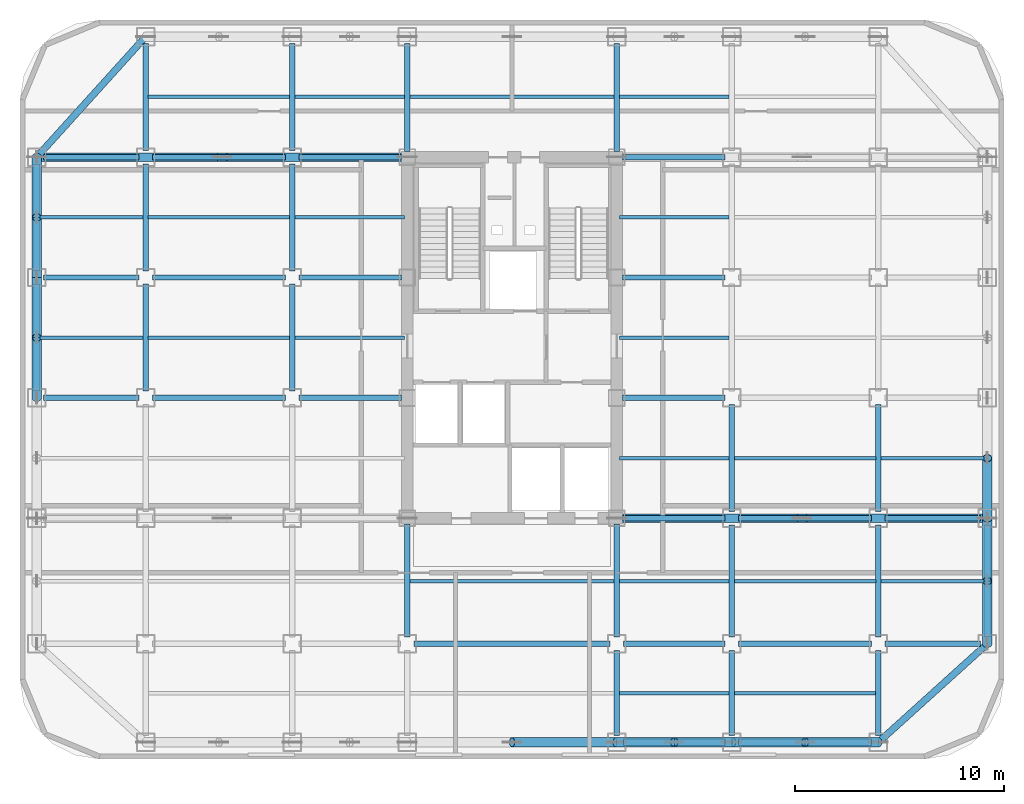
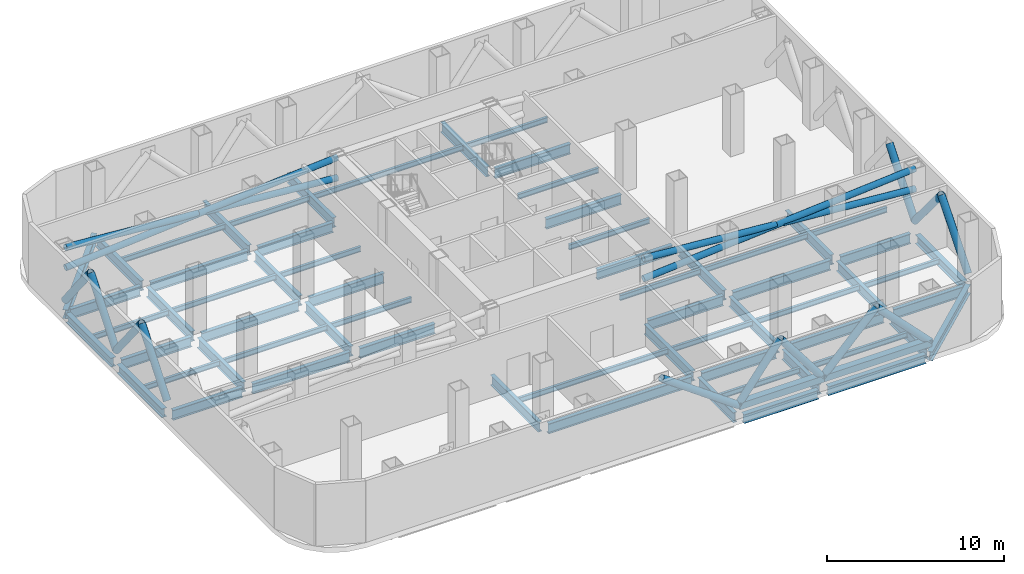
# One storey, part 2 of 9: 64 beams, 20 members.
"""IFC4 building model written with IfcOpenShell, lengths in metres."""

from ifc_helpers import new_model, si_unit, direction, frame, origin, origin_2d, place, context, subcontext, project, spatial, hollow_rectangle, hollow_circle, i_section, extrude, source, transform, mapped, material, material_profile, profile_set, type_object, element, save


model = new_model("IFC4")

# Units and contexts
model_context = context("Model", 3, precision=1e-05, world=origin(), true_north=direction((0.0, 1.0)))
body_context = subcontext(model_context, "Body", "Model", "MODEL_VIEW")
ifc_project = project(units=[si_unit("LENGTHUNIT", "METRE"), si_unit("AREAUNIT", "SQUARE_METRE"), si_unit("VOLUMEUNIT", "CUBIC_METRE"), si_unit("PLANEANGLEUNIT", "RADIAN"), si_unit("MASSUNIT", "GRAM", prefix="KILO")], contexts=[model_context])

# Site, building, storey
site_placement = place(None, origin())
site = spatial("IfcSite", under=ifc_project, at=site_placement, CompositionType="ELEMENT")
building_placement = place(site_placement, origin())
building = spatial("IfcBuilding", under=site, at=building_placement, Name="Kolveth Station Tower", CompositionType="ELEMENT")
storey_placement = place(building_placement, frame((0.0, 0.0, 143.89990234375)))
storey = spatial("IfcBuildingStorey", under=building, at=storey_placement, Name="L40", CompositionType="ELEMENT", Elevation=143.89990234375)

# Beams
ifc_material_1 = material(Name="Steel S355", Category="steel")
ifc_material_profile_1 = material_profile(ifc_material_1, i_section(OverallWidth=0.323974609375, OverallDepth=0.611083984375, WebThickness=0.0126953125, FlangeThickness=0.01904296875, at=origin_2d()), Name="W610x155")
ifc_profile_set_1 = profile_set([ifc_material_profile_1], Name="Steel S355")
beam_type_1 = type_object("IfcBeamType", Name="Beam_SP2", PredefinedType="SPANDREL", material=ifc_profile_set_1)
shared_shape_1 = source(origin(), body_context, "Body", "SweptSolid", [
    extrude(i_section(OverallWidth=0.323974609375, OverallDepth=0.611083984375, WebThickness=0.0126953125, FlangeThickness=0.01904296875, at=origin_2d()), origin(), (0.0, 0.0, 1.0), 6.35986328125),
])
beam_1_placement = place(storey_placement, frame((34.320068359375, 0.800048828125, -0.665283203125), z_axis=(1.0, 0.0, 0.0), x_axis=(0.0, 1.0, 0.0)))
element("IfcBeam", 1, at=beam_1_placement, inside=storey, type_object=beam_type_1, Name="L40 Perimeter Spandrel BM-L40-PS-5", PredefinedType="SPANDREL", context=body_context, shape_type="MappedRepresentation", body=[
    mapped(shared_shape_1, transform((0.0, 0.0, 0.0), x_axis=(1.0, 0.0, 0.0), y_axis=(0.0, 1.0, 0.0), z_axis=(0.0, 0.0, 1.0), scale=1.0)),
])
shared_shape_2 = source(origin(), body_context, "Body", "SweptSolid", [
    extrude(i_section(OverallWidth=0.323974609375, OverallDepth=0.611083984375, WebThickness=0.0126953125, FlangeThickness=0.01904296875, at=origin_2d()), origin(), (0.0, 0.0, 1.0), 4.85986328125),
])
beam_2_placement = place(storey_placement, frame((28.820068359375, 0.800048828125, -0.665283203125), z_axis=(1.0, 0.0, 0.0), x_axis=(0.0, 1.0, 0.0)))
element("IfcBeam", 2, at=beam_2_placement, inside=storey, type_object=beam_type_1, Name="L40 Perimeter Spandrel BM-L40-PS-4", PredefinedType="SPANDREL", context=body_context, shape_type="MappedRepresentation", body=[
    mapped(shared_shape_2, transform((0.0, 0.0, 0.0), x_axis=(1.0, 0.0, 0.0), y_axis=(0.0, 1.0, 0.0), z_axis=(0.0, 0.0, 1.0), scale=1.0)),
])
shared_shape_3 = source(origin(), body_context, "Body", "SweptSolid", [
    extrude(i_section(OverallWidth=0.323974609375, OverallDepth=0.611083984375, WebThickness=0.0126953125, FlangeThickness=0.01904296875, at=origin_2d()), origin(), (0.0, 0.0, 1.0), 5.35986328125),
])
beam_3_placement = place(storey_placement, frame((46.199951171875, 5.820068359375, -0.665283203125), z_axis=(0.0, 1.0, 0.0), x_axis=(-1.0, 0.0, 0.0)))
element("IfcBeam", 3, at=beam_3_placement, inside=storey, type_object=beam_type_1, Name="L40 Perimeter Spandrel BM-L40-PE-1", PredefinedType="SPANDREL", context=body_context, shape_type="MappedRepresentation", body=[
    mapped(shared_shape_3, transform((0.0, 0.0, 0.0), x_axis=(1.0, 0.0, 0.0), y_axis=(0.0, 1.0, 0.0), z_axis=(0.0, 0.0, 1.0), scale=1.0)),
])
shared_shape_4 = source(origin(), body_context, "Body", "SweptSolid", [
    extrude(i_section(OverallWidth=0.323974609375, OverallDepth=0.611083984375, WebThickness=0.0126953125, FlangeThickness=0.01904296875, at=origin_2d()), origin(), (0.0, 0.0, 1.0), 5.10986328125),
])
for number, where, z_axis, x_axis, name in (
    (4, (0.800048828125, 17.570068359375, -0.665283203125), (0.0, 1.0, 0.0), (-1.0, 0.0, 0.0), "L40 Perimeter Spandrel BM-L40-PW-3"),
    (5, (0.800048828125, 23.320068359375, -0.665283203125), (0.0, 1.0, 0.0), (-1.0, 0.0, 0.0), "L40 Perimeter Spandrel BM-L40-PW-4"),
):
    element("IfcBeam", number, at=place(storey_placement, frame(where, z_axis=z_axis, x_axis=x_axis)), inside=storey, type_object=beam_type_1, Name=name, PredefinedType="SPANDREL", context=body_context, shape_type="MappedRepresentation", body=[
        mapped(shared_shape_4, transform((0.0, 0.0, 0.0), x_axis=(1.0, 0.0, 0.0), y_axis=(0.0, 1.0, 0.0), z_axis=(0.0, 0.0, 1.0), scale=1.0)),
    ])
shared_shape_5 = source(origin(), body_context, "Body", "SweptSolid", [
    extrude(i_section(OverallWidth=0.323974609375, OverallDepth=0.611083984375, WebThickness=0.0126953125, FlangeThickness=0.01904296875, at=origin_2d()), origin(), (0.0, 0.0, 1.0), 7.00927734375),
])
beam_4_placement = place(storey_placement, frame((41.0, 0.800048828125, -0.665283203125), z_axis=(0.741874009795, 0.670539300557, 0.0), x_axis=(-0.670539300557, 0.741874009795, 0.0)))
element("IfcBeam", 6, at=beam_4_placement, inside=storey, type_object=beam_type_1, Name="L40 Corner Edge Girder BM-L40-CNR-SE", PredefinedType="SPANDREL", context=body_context, shape_type="MappedRepresentation", body=[
    mapped(shared_shape_5, transform((0.0, 0.0, 0.0), x_axis=(1.0, 0.0, 0.0), y_axis=(0.0, 1.0, 0.0), z_axis=(0.0, 0.0, 1.0), scale=1.0)),
])
shared_shape_6 = source(origin(), body_context, "Body", "SweptSolid", [
    extrude(i_section(OverallWidth=0.323974609375, OverallDepth=0.611083984375, WebThickness=0.0126953125, FlangeThickness=0.01904296875, at=origin_2d()), origin(), (0.0, 0.0, 1.0), 7.75244140625),
])
beam_5_placement = place(storey_placement, frame((6.0, 34.5, -0.665283203125), z_axis=(-0.670740965555, -0.74169168603, 0.0), x_axis=(0.74169168603, -0.670740965555, 0.0)))
element("IfcBeam", 7, at=beam_5_placement, inside=storey, type_object=beam_type_1, Name="L40 Corner Edge Girder BM-L40-CNR-NW", PredefinedType="SPANDREL", context=body_context, shape_type="MappedRepresentation", body=[
    mapped(shared_shape_6, transform((0.0, 0.0, 0.0), x_axis=(1.0, 0.0, 0.0), y_axis=(0.0, 1.0, 0.0), z_axis=(0.0, 0.0, 1.0), scale=1.0)),
])
ifc_material_profile_2 = material_profile(ifc_material_1, i_section(OverallWidth=0.25390625, OverallDepth=0.68798828125, WebThickness=0.01318359375, FlangeThickness=0.02099609375, at=origin_2d()), Name="W690x152")
ifc_profile_set_2 = profile_set([ifc_material_profile_2], Name="Steel S355")
beam_type_2 = type_object("IfcBeamType", Name="Beam_B4", PredefinedType="BEAM", material=ifc_profile_set_2)
shared_shape_7 = source(origin(), body_context, "Body", "SweptSolid", [
    extrude(i_section(OverallWidth=0.25390625, OverallDepth=0.68798828125, WebThickness=0.01318359375, FlangeThickness=0.02099609375, at=origin_2d()), origin(), (0.0, 0.0, 1.0), 4.559814453125),
])
for number, where, z_axis, x_axis, name in (
    (8, (41.320068359375, 5.5, -0.703857421875), (1.0, 0.0, 0.0), (0.0, 1.0, 0.0), "L40 Primary Girder BM-L40-GY55-7"),
    (9, (41.320068359375, 11.5, -0.703857421875), (1.0, 0.0, 0.0), (0.0, 1.0, 0.0), "L40 Primary Girder BM-L40-GY115-7"),
    (10, (1.1201171875, 17.25, -0.703857421875), (1.0, 0.0, 0.0), (0.0, 1.0, 0.0), "L40 Primary Girder BM-L40-GY172-1"),
    (11, (1.1201171875, 23.0, -0.703857421875), (1.0, 0.0, 0.0), (0.0, 1.0, 0.0), "L40 Primary Girder BM-L40-GY230-1"),
    (12, (1.1201171875, 28.75, -0.703857421875), (1.0, 0.0, 0.0), (0.0, 1.0, 0.0), "L40 Primary Girder BM-L40-GY287-1"),
):
    element("IfcBeam", number, at=place(storey_placement, frame(where, z_axis=z_axis, x_axis=x_axis)), inside=storey, type_object=beam_type_2, Name=name, PredefinedType="BEAM", context=body_context, shape_type="MappedRepresentation", body=[
        mapped(shared_shape_7, transform((0.0, 0.0, 0.0), x_axis=(1.0, 0.0, 0.0), y_axis=(0.0, 1.0, 0.0), z_axis=(0.0, 0.0, 1.0), scale=1.0)),
    ])
shared_shape_8 = source(origin(), body_context, "Body", "SweptSolid", [
    extrude(i_section(OverallWidth=0.25390625, OverallDepth=0.68798828125, WebThickness=0.01318359375, FlangeThickness=0.02099609375, at=origin_2d()), origin(), (0.0, 0.0, 1.0), 6.35986328125),
])
for number, where, z_axis, x_axis, name in (
    (13, (34.320068359375, 5.5, -0.703857421875), (1.0, 0.0, 0.0), (0.0, 1.0, 0.0), "L40 Primary Girder BM-L40-GY55-6"),
    (14, (34.320068359375, 11.5, -0.703857421875), (1.0, 0.0, 0.0), (0.0, 1.0, 0.0), "L40 Primary Girder BM-L40-GY115-6"),
    (15, (6.320068359375, 17.25, -0.703857421875), (1.0, 0.0, 0.0), (0.0, 1.0, 0.0), "L40 Primary Girder BM-L40-GY172-2"),
    (16, (6.320068359375, 23.0, -0.703857421875), (1.0, 0.0, 0.0), (0.0, 1.0, 0.0), "L40 Primary Girder BM-L40-GY230-2"),
    (17, (6.320068359375, 28.75, -0.703857421875), (1.0, 0.0, 0.0), (0.0, 1.0, 0.0), "L40 Primary Girder BM-L40-GY287-2"),
):
    element("IfcBeam", number, at=place(storey_placement, frame(where, z_axis=z_axis, x_axis=x_axis)), inside=storey, type_object=beam_type_2, Name=name, PredefinedType="BEAM", context=body_context, shape_type="MappedRepresentation", body=[
        mapped(shared_shape_8, transform((0.0, 0.0, 0.0), x_axis=(1.0, 0.0, 0.0), y_axis=(0.0, 1.0, 0.0), z_axis=(0.0, 0.0, 1.0), scale=1.0)),
    ])
shared_shape_9 = source(origin(), body_context, "Body", "SweptSolid", [
    extrude(i_section(OverallWidth=0.25390625, OverallDepth=0.68798828125, WebThickness=0.01318359375, FlangeThickness=0.02099609375, at=origin_2d()), origin(), (0.0, 0.0, 1.0), 4.85986328125),
])
beam_6_placement = place(storey_placement, frame((28.820068359375, 5.5, -0.703857421875), z_axis=(1.0, 0.0, 0.0), x_axis=(0.0, 1.0, 0.0)))
element("IfcBeam", 18, at=beam_6_placement, inside=storey, type_object=beam_type_2, Name="L40 Primary Girder BM-L40-GY55-5", PredefinedType="BEAM", context=body_context, shape_type="MappedRepresentation", body=[
    mapped(shared_shape_9, transform((0.0, 0.0, 0.0), x_axis=(1.0, 0.0, 0.0), y_axis=(0.0, 1.0, 0.0), z_axis=(0.0, 0.0, 1.0), scale=1.0)),
])
shared_shape_10 = source(origin(), body_context, "Body", "SweptSolid", [
    extrude(i_section(OverallWidth=0.25390625, OverallDepth=0.68798828125, WebThickness=0.01318359375, FlangeThickness=0.02099609375, at=origin_2d()), origin(), (0.0, 0.0, 1.0), 9.35986328125),
])
beam_7_placement = place(storey_placement, frame((18.820068359375, 5.5, -0.703857421875), z_axis=(1.0, 0.0, 0.0), x_axis=(0.0, 1.0, 0.0)))
element("IfcBeam", 19, at=beam_7_placement, inside=storey, type_object=beam_type_2, Name="L40 Primary Girder BM-L40-GY55-4", PredefinedType="BEAM", context=body_context, shape_type="MappedRepresentation", body=[
    mapped(shared_shape_10, transform((0.0, 0.0, 0.0), x_axis=(1.0, 0.0, 0.0), y_axis=(0.0, 1.0, 0.0), z_axis=(0.0, 0.0, 1.0), scale=1.0)),
])
shared_shape_11 = source(origin(), body_context, "Body", "SweptSolid", [
    extrude(i_section(OverallWidth=0.25390625, OverallDepth=0.68798828125, WebThickness=0.01318359375, FlangeThickness=0.02099609375, at=origin_2d()), origin(), (0.0, 0.0, 1.0), 4.89990234375),
])
for number, where, z_axis, x_axis, name in (
    (20, (28.780029296875, 11.5, -0.703857421875), (1.0, 0.0, 0.0), (0.0, 1.0, 0.0), "L40 Primary Girder BM-L40-GY115-5"),
    (21, (13.320068359375, 17.25, -0.703857421875), (1.0, 0.0, 0.0), (0.0, 1.0, 0.0), "L40 Primary Girder BM-L40-GY172-3"),
    (22, (28.780029296875, 17.25, -0.703857421875), (1.0, 0.0, 0.0), (0.0, 1.0, 0.0), "L40 Primary Girder BM-L40-GY172-5"),
    (23, (13.320068359375, 23.0, -0.703857421875), (1.0, 0.0, 0.0), (0.0, 1.0, 0.0), "L40 Primary Girder BM-L40-GY230-3"),
    (24, (28.780029296875, 23.0, -0.703857421875), (1.0, 0.0, 0.0), (0.0, 1.0, 0.0), "L40 Primary Girder BM-L40-GY230-5"),
    (25, (13.320068359375, 28.75, -0.703857421875), (1.0, 0.0, 0.0), (0.0, 1.0, 0.0), "L40 Primary Girder BM-L40-GY287-3"),
    (26, (28.780029296875, 28.75, -0.703857421875), (1.0, 0.0, 0.0), (0.0, 1.0, 0.0), "L40 Primary Girder BM-L40-GY287-5"),
):
    element("IfcBeam", number, at=place(storey_placement, frame(where, z_axis=z_axis, x_axis=x_axis)), inside=storey, type_object=beam_type_2, Name=name, PredefinedType="BEAM", context=body_context, shape_type="MappedRepresentation", body=[
        mapped(shared_shape_11, transform((0.0, 0.0, 0.0), x_axis=(1.0, 0.0, 0.0), y_axis=(0.0, 1.0, 0.0), z_axis=(0.0, 0.0, 1.0), scale=1.0)),
    ])
shared_shape_12 = source(origin(), body_context, "Body", "SweptSolid", [
    extrude(i_section(OverallWidth=0.25390625, OverallDepth=0.68798828125, WebThickness=0.01318359375, FlangeThickness=0.02099609375, at=origin_2d()), origin(), (0.0, 0.0, 1.0), 4.059814453125),
])
for number, where, z_axis, x_axis, name in (
    (27, (28.5, 1.1201171875, -0.703857421875), (0.0, 1.0, 0.0), (-1.0, 0.0, 0.0), "L40 Primary Girder BM-L40-GX285-1"),
    (28, (34.0, 1.1201171875, -0.703857421875), (0.0, 1.0, 0.0), (-1.0, 0.0, 0.0), "L40 Primary Girder BM-L40-GX340-1"),
    (29, (41.0, 1.1201171875, -0.703857421875), (0.0, 1.0, 0.0), (-1.0, 0.0, 0.0), "L40 Primary Girder BM-L40-GX410-1"),
):
    element("IfcBeam", number, at=place(storey_placement, frame(where, z_axis=z_axis, x_axis=x_axis)), inside=storey, type_object=beam_type_2, Name=name, PredefinedType="BEAM", context=body_context, shape_type="MappedRepresentation", body=[
        mapped(shared_shape_12, transform((0.0, 0.0, 0.0), x_axis=(1.0, 0.0, 0.0), y_axis=(0.0, 1.0, 0.0), z_axis=(0.0, 0.0, 1.0), scale=1.0)),
    ])
shared_shape_13 = source(origin(), body_context, "Body", "SweptSolid", [
    extrude(i_section(OverallWidth=0.25390625, OverallDepth=0.68798828125, WebThickness=0.01318359375, FlangeThickness=0.02099609375, at=origin_2d()), origin(), (0.0, 0.0, 1.0), 5.35986328125),
])
for number, where, z_axis, x_axis, name in (
    (30, (34.0, 5.820068359375, -0.703857421875), (0.0, 1.0, 0.0), (-1.0, 0.0, 0.0), "L40 Primary Girder BM-L40-GX340-2"),
    (31, (41.0, 5.820068359375, -0.703857421875), (0.0, 1.0, 0.0), (-1.0, 0.0, 0.0), "L40 Primary Girder BM-L40-GX410-2"),
):
    element("IfcBeam", number, at=place(storey_placement, frame(where, z_axis=z_axis, x_axis=x_axis)), inside=storey, type_object=beam_type_2, Name=name, PredefinedType="BEAM", context=body_context, shape_type="MappedRepresentation", body=[
        mapped(shared_shape_13, transform((0.0, 0.0, 0.0), x_axis=(1.0, 0.0, 0.0), y_axis=(0.0, 1.0, 0.0), z_axis=(0.0, 0.0, 1.0), scale=1.0)),
    ])
shared_shape_14 = source(origin(), body_context, "Body", "SweptSolid", [
    extrude(i_section(OverallWidth=0.25390625, OverallDepth=0.68798828125, WebThickness=0.01318359375, FlangeThickness=0.02099609375, at=origin_2d()), origin(), (0.0, 0.0, 1.0), 5.10986328125),
])
for number, where, z_axis, x_axis, name in (
    (32, (6.0, 17.570068359375, -0.703857421875), (0.0, 1.0, 0.0), (-1.0, 0.0, 0.0), "L40 Primary Girder BM-L40-GX60-4"),
    (33, (6.0, 23.320068359375, -0.703857421875), (0.0, 1.0, 0.0), (-1.0, 0.0, 0.0), "L40 Primary Girder BM-L40-GX60-5"),
    (34, (6.0, 29.070068359375, -0.703857421875), (0.0, 1.0, 0.0), (-1.0, 0.0, 0.0), "L40 Primary Girder BM-L40-GX60-6"),
    (35, (13.0, 17.570068359375, -0.703857421875), (0.0, 1.0, 0.0), (-1.0, 0.0, 0.0), "L40 Primary Girder BM-L40-GX130-4"),
    (36, (13.0, 23.320068359375, -0.703857421875), (0.0, 1.0, 0.0), (-1.0, 0.0, 0.0), "L40 Primary Girder BM-L40-GX130-5"),
    (37, (13.0, 29.070068359375, -0.703857421875), (0.0, 1.0, 0.0), (-1.0, 0.0, 0.0), "L40 Primary Girder BM-L40-GX130-6"),
    (38, (34.0, 11.820068359375, -0.703857421875), (0.0, 1.0, 0.0), (-1.0, 0.0, 0.0), "L40 Primary Girder BM-L40-GX340-3"),
    (39, (41.0, 11.820068359375, -0.703857421875), (0.0, 1.0, 0.0), (-1.0, 0.0, 0.0), "L40 Primary Girder BM-L40-GX410-3"),
):
    element("IfcBeam", number, at=place(storey_placement, frame(where, z_axis=z_axis, x_axis=x_axis)), inside=storey, type_object=beam_type_2, Name=name, PredefinedType="BEAM", context=body_context, shape_type="MappedRepresentation", body=[
        mapped(shared_shape_14, transform((0.0, 0.0, 0.0), x_axis=(1.0, 0.0, 0.0), y_axis=(0.0, 1.0, 0.0), z_axis=(0.0, 0.0, 1.0), scale=1.0)),
    ])
shared_shape_15 = source(origin(), body_context, "Body", "SweptSolid", [
    extrude(i_section(OverallWidth=0.25390625, OverallDepth=0.68798828125, WebThickness=0.01318359375, FlangeThickness=0.02099609375, at=origin_2d()), origin(), (0.0, 0.0, 1.0), 5.39990234375),
])
for number, where, z_axis, x_axis, name in (
    (40, (18.5, 5.820068359375, -0.703857421875), (0.0, 1.0, 0.0), (-1.0, 0.0, 0.0), "L40 Primary Girder BM-L40-GX185-2"),
    (41, (28.5, 5.820068359375, -0.703857421875), (0.0, 1.0, 0.0), (-1.0, 0.0, 0.0), "L40 Primary Girder BM-L40-GX285-2"),
):
    element("IfcBeam", number, at=place(storey_placement, frame(where, z_axis=z_axis, x_axis=x_axis)), inside=storey, type_object=beam_type_2, Name=name, PredefinedType="BEAM", context=body_context, shape_type="MappedRepresentation", body=[
        mapped(shared_shape_15, transform((0.0, 0.0, 0.0), x_axis=(1.0, 0.0, 0.0), y_axis=(0.0, 1.0, 0.0), z_axis=(0.0, 0.0, 1.0), scale=1.0)),
    ])
shared_shape_16 = source(origin(), body_context, "Body", "SweptSolid", [
    extrude(i_section(OverallWidth=0.25390625, OverallDepth=0.68798828125, WebThickness=0.01318359375, FlangeThickness=0.02099609375, at=origin_2d()), origin(), (0.0, 0.0, 1.0), 5.14990234375),
])
for number, where, z_axis, x_axis, name in (
    (42, (18.5, 29.030029296875, -0.703857421875), (0.0, 1.0, 0.0), (-1.0, 0.0, 0.0), "L40 Primary Girder BM-L40-GX185-6"),
    (43, (28.5, 29.030029296875, -0.703857421875), (0.0, 1.0, 0.0), (-1.0, 0.0, 0.0), "L40 Primary Girder BM-L40-GX285-6"),
):
    element("IfcBeam", number, at=place(storey_placement, frame(where, z_axis=z_axis, x_axis=x_axis)), inside=storey, type_object=beam_type_2, Name=name, PredefinedType="BEAM", context=body_context, shape_type="MappedRepresentation", body=[
        mapped(shared_shape_16, transform((0.0, 0.0, 0.0), x_axis=(1.0, 0.0, 0.0), y_axis=(0.0, 1.0, 0.0), z_axis=(0.0, 0.0, 1.0), scale=1.0)),
    ])
ifc_material_profile_3 = material_profile(ifc_material_1, i_section(OverallWidth=0.1708984375, OverallDepth=0.35205078125, WebThickness=0.0068359375, FlangeThickness=0.009765625, at=origin_2d()), Name="W360x44")
ifc_profile_set_3 = profile_set([ifc_material_profile_3], Name="Steel S355")
beam_type_3 = type_object("IfcBeamType", Name="Beam_J2", PredefinedType="JOIST", material=ifc_profile_set_3)
shared_shape_17 = source(origin(), body_context, "Body", "SweptSolid", [
    extrude(i_section(OverallWidth=0.1708984375, OverallDepth=0.35205078125, WebThickness=0.0068359375, FlangeThickness=0.009765625, at=origin_2d()), origin(), (0.0, 0.0, 1.0), 4.9150390625),
])
for number, where, z_axis, x_axis, name in (
    (44, (0.9599609375, 20.125, -0.535888671875), (1.0, 0.0, 0.0), (0.0, 1.0, 0.0), "L40 Secondary Joist JST-L40-1-4"),
    (45, (0.9599609375, 25.875, -0.535888671875), (1.0, 0.0, 0.0), (0.0, 1.0, 0.0), "L40 Secondary Joist JST-L40-1-5"),
    (46, (41.125, 8.5, -0.535888671875), (1.0, 0.0, 0.0), (0.0, 1.0, 0.0), "L40 Secondary Joist JST-L40-7-2"),
    (47, (41.125, 14.375, -0.535888671875), (1.0, 0.0, 0.0), (0.0, 1.0, 0.0), "L40 Secondary Joist JST-L40-7-3"),
):
    element("IfcBeam", number, at=place(storey_placement, frame(where, z_axis=z_axis, x_axis=x_axis)), inside=storey, type_object=beam_type_3, Name=name, PredefinedType="JOIST", context=body_context, shape_type="MappedRepresentation", body=[
        mapped(shared_shape_17, transform((0.0, 0.0, 0.0), x_axis=(1.0, 0.0, 0.0), y_axis=(0.0, 1.0, 0.0), z_axis=(0.0, 0.0, 1.0), scale=1.0)),
    ])
shared_shape_18 = source(origin(), body_context, "Body", "SweptSolid", [
    extrude(i_section(OverallWidth=0.1708984375, OverallDepth=0.35205078125, WebThickness=0.0068359375, FlangeThickness=0.009765625, at=origin_2d()), origin(), (0.0, 0.0, 1.0), 6.75),
])
for number, where, z_axis, x_axis, name in (
    (48, (6.125, 20.125, -0.535888671875), (1.0, 0.0, 0.0), (0.0, 1.0, 0.0), "L40 Secondary Joist JST-L40-2-4"),
    (49, (6.125, 25.875, -0.535888671875), (1.0, 0.0, 0.0), (0.0, 1.0, 0.0), "L40 Secondary Joist JST-L40-2-5"),
    (50, (6.125, 31.625, -0.535888671875), (1.0, 0.0, 0.0), (0.0, 1.0, 0.0), "L40 Secondary Joist JST-L40-2-6"),
    (51, (34.125, 3.14990234375, -0.535888671875), (1.0, 0.0, 0.0), (0.0, 1.0, 0.0), "L40 Secondary Joist JST-L40-6-1"),
    (52, (34.125, 8.5, -0.535888671875), (1.0, 0.0, 0.0), (0.0, 1.0, 0.0), "L40 Secondary Joist JST-L40-6-2"),
    (53, (34.125, 14.375, -0.535888671875), (1.0, 0.0, 0.0), (0.0, 1.0, 0.0), "L40 Secondary Joist JST-L40-6-3"),
):
    element("IfcBeam", number, at=place(storey_placement, frame(where, z_axis=z_axis, x_axis=x_axis)), inside=storey, type_object=beam_type_3, Name=name, PredefinedType="JOIST", context=body_context, shape_type="MappedRepresentation", body=[
        mapped(shared_shape_18, transform((0.0, 0.0, 0.0), x_axis=(1.0, 0.0, 0.0), y_axis=(0.0, 1.0, 0.0), z_axis=(0.0, 0.0, 1.0), scale=1.0)),
    ])
shared_shape_19 = source(origin(), body_context, "Body", "SweptSolid", [
    extrude(i_section(OverallWidth=0.1708984375, OverallDepth=0.35205078125, WebThickness=0.0068359375, FlangeThickness=0.009765625, at=origin_2d()), origin(), (0.0, 0.0, 1.0), 5.25),
])
for number, where, z_axis, x_axis, name in (
    (54, (13.125, 20.125, -0.535888671875), (1.0, 0.0, 0.0), (0.0, 1.0, 0.0), "L40 Secondary Joist JST-L40-3-4"),
    (55, (13.125, 25.875, -0.535888671875), (1.0, 0.0, 0.0), (0.0, 1.0, 0.0), "L40 Secondary Joist JST-L40-3-5"),
    (56, (13.125, 31.625, -0.535888671875), (1.0, 0.0, 0.0), (0.0, 1.0, 0.0), "L40 Secondary Joist JST-L40-3-6"),
    (57, (28.625, 3.14990234375, -0.535888671875), (1.0, 0.0, 0.0), (0.0, 1.0, 0.0), "L40 Secondary Joist JST-L40-5-1"),
    (58, (28.625, 8.5, -0.535888671875), (1.0, 0.0, 0.0), (0.0, 1.0, 0.0), "L40 Secondary Joist JST-L40-5-2"),
    (59, (28.625, 14.375, -0.535888671875), (1.0, 0.0, 0.0), (0.0, 1.0, 0.0), "L40 Secondary Joist JST-L40-5-3"),
    (60, (28.625, 20.125, -0.535888671875), (1.0, 0.0, 0.0), (0.0, 1.0, 0.0), "L40 Secondary Joist JST-L40-5-4"),
    (61, (28.625, 25.875, -0.535888671875), (1.0, 0.0, 0.0), (0.0, 1.0, 0.0), "L40 Secondary Joist JST-L40-5-5"),
    (62, (28.625, 31.625, -0.535888671875), (1.0, 0.0, 0.0), (0.0, 1.0, 0.0), "L40 Secondary Joist JST-L40-5-6"),
):
    element("IfcBeam", number, at=place(storey_placement, frame(where, z_axis=z_axis, x_axis=x_axis)), inside=storey, type_object=beam_type_3, Name=name, PredefinedType="JOIST", context=body_context, shape_type="MappedRepresentation", body=[
        mapped(shared_shape_19, transform((0.0, 0.0, 0.0), x_axis=(1.0, 0.0, 0.0), y_axis=(0.0, 1.0, 0.0), z_axis=(0.0, 0.0, 1.0), scale=1.0)),
    ])
shared_shape_20 = source(origin(), body_context, "Body", "SweptSolid", [
    extrude(i_section(OverallWidth=0.1708984375, OverallDepth=0.35205078125, WebThickness=0.0068359375, FlangeThickness=0.009765625, at=origin_2d()), origin(), (0.0, 0.0, 1.0), 9.75),
])
for number, where, z_axis, x_axis, name in (
    (63, (18.625, 8.5, -0.535888671875), (1.0, 0.0, 0.0), (0.0, 1.0, 0.0), "L40 Secondary Joist JST-L40-4-2"),
    (64, (18.625, 31.625, -0.535888671875), (1.0, 0.0, 0.0), (0.0, 1.0, 0.0), "L40 Secondary Joist JST-L40-4-6"),
):
    element("IfcBeam", number, at=place(storey_placement, frame(where, z_axis=z_axis, x_axis=x_axis)), inside=storey, type_object=beam_type_3, Name=name, PredefinedType="JOIST", context=body_context, shape_type="MappedRepresentation", body=[
        mapped(shared_shape_20, transform((0.0, 0.0, 0.0), x_axis=(1.0, 0.0, 0.0), y_axis=(0.0, 1.0, 0.0), z_axis=(0.0, 0.0, 1.0), scale=1.0)),
    ])

# Members
ifc_material_2 = material(Name="Steel S460", Category="steel")
ifc_material_profile_4 = material_profile(ifc_material_2, hollow_rectangle(XDim=0.449951171875, YDim=0.449951171875, WallThickness=0.02490234375, at=origin_2d()), Name="HSS450x450x25")
ifc_profile_set_4 = profile_set([ifc_material_profile_4], Name="Steel S460")
member_type_1 = type_object("IfcMemberType", Name="Mem_CH1", PredefinedType="CHORD", material=ifc_profile_set_4)
shared_shape_21 = source(origin(), body_context, "Body", "SweptSolid", [
    extrude(hollow_rectangle(XDim=0.449951171875, YDim=0.449951171875, WallThickness=0.02490234375, at=origin_2d()), origin(), (0.0, 0.0, 1.0), 7.0),
])
member_1_placement = place(storey_placement, frame((34.0, 0.800048828125, 0.35009765625), z_axis=(1.0, 0.0, 0.0), x_axis=(0.0, 1.0, 0.0)))
element("IfcMember", 65, at=member_1_placement, inside=storey, type_object=member_type_1, Name="L40 Belt Truss Bottom Chord S5", PredefinedType="CHORD", context=body_context, shape_type="MappedRepresentation", body=[
    mapped(shared_shape_21, transform((0.0, 0.0, 0.0), x_axis=(1.0, 0.0, 0.0), y_axis=(0.0, 1.0, 0.0), z_axis=(0.0, 0.0, 1.0), scale=1.0)),
])
shared_shape_22 = source(origin(), body_context, "Body", "SweptSolid", [
    extrude(hollow_rectangle(XDim=0.449951171875, YDim=0.449951171875, WallThickness=0.02490234375, at=origin_2d()), origin(), (0.0, 0.0, 1.0), 5.5),
])
member_2_placement = place(storey_placement, frame((28.5, 0.800048828125, 0.35009765625), z_axis=(1.0, 0.0, 0.0), x_axis=(0.0, 1.0, 0.0)))
element("IfcMember", 66, at=member_2_placement, inside=storey, type_object=member_type_1, Name="L40 Belt Truss Bottom Chord S4", PredefinedType="CHORD", context=body_context, shape_type="MappedRepresentation", body=[
    mapped(shared_shape_22, transform((0.0, 0.0, 0.0), x_axis=(1.0, 0.0, 0.0), y_axis=(0.0, 1.0, 0.0), z_axis=(0.0, 0.0, 1.0), scale=1.0)),
])
ifc_material_profile_5 = material_profile(ifc_material_2, hollow_circle(Radius=0.228515625, WallThickness=0.02197265625, at=origin_2d()), Name="CHS457x22")
ifc_profile_set_5 = profile_set([ifc_material_profile_5], Name="Steel S460")
member_type_2 = type_object("IfcMemberType", Name="Mem_BR2", PredefinedType="BRACE", material=ifc_profile_set_5)
shared_shape_23 = source(origin(), body_context, "Body", "SweptSolid", [
    extrude(hollow_circle(Radius=0.228515625, WallThickness=0.02197265625, at=origin_2d()), origin(), (0.0, 0.0, 1.0), 5.02099609375),
])
for number, where, z_axis, x_axis, name in (
    (67, (34.0, 0.800048828125, 0.35009765625), (0.697068672355, 0.0, 0.717004369597), (0.0, 1.0, 0.0), "L40 Belt Truss Brace S5A"),
    (68, (41.0, 0.800048828125, 0.35009765625), (-0.697068672355, 0.0, 0.717004369597), (0.0, -1.0, 0.0), "L40 Belt Truss Brace S5B"),
):
    element("IfcMember", number, at=place(storey_placement, frame(where, z_axis=z_axis, x_axis=x_axis)), inside=storey, type_object=member_type_2, Name=name, PredefinedType="BRACE", context=body_context, shape_type="MappedRepresentation", body=[
        mapped(shared_shape_23, transform((0.0, 0.0, 0.0), x_axis=(1.0, 0.0, 0.0), y_axis=(0.0, 1.0, 0.0), z_axis=(0.0, 0.0, 1.0), scale=1.0)),
    ])
shared_shape_24 = source(origin(), body_context, "Body", "SweptSolid", [
    extrude(hollow_circle(Radius=0.228515625, WallThickness=0.02197265625, at=origin_2d()), origin(), (0.0, 0.0, 1.0), 4.5302734375),
])
for number, where, z_axis, x_axis, name in (
    (69, (28.5, 0.800048828125, 0.35009765625), (0.607029954036, 0.0, 0.794678950836), (0.0, 1.0, 0.0), "L40 Belt Truss Brace S4A"),
    (70, (34.0, 0.800048828125, 0.35009765625), (-0.607029954036, 0.0, 0.794678950836), (0.0, -1.0, 0.0), "L40 Belt Truss Brace S4B"),
):
    element("IfcMember", number, at=place(storey_placement, frame(where, z_axis=z_axis, x_axis=x_axis)), inside=storey, type_object=member_type_2, Name=name, PredefinedType="BRACE", context=body_context, shape_type="MappedRepresentation", body=[
        mapped(shared_shape_24, transform((0.0, 0.0, 0.0), x_axis=(1.0, 0.0, 0.0), y_axis=(0.0, 1.0, 0.0), z_axis=(0.0, 0.0, 1.0), scale=1.0)),
    ])
shared_shape_25 = source(origin(), body_context, "Body", "SweptSolid", [
    extrude(hollow_circle(Radius=0.228515625, WallThickness=0.02197265625, at=origin_2d()), origin(), (0.0, 0.0, 1.0), 6.1611328125),
])
member_3_placement = place(storey_placement, frame((28.5, 0.800048828125, 0.35009765625), z_axis=(-0.811526825515, 0.0, 0.584315164504), x_axis=(0.0, -1.0, 0.0)))
element("IfcMember", 71, at=member_3_placement, inside=storey, type_object=member_type_2, Name="L40 Belt Truss Brace S3B", PredefinedType="BRACE", context=body_context, shape_type="MappedRepresentation", body=[
    mapped(shared_shape_25, transform((0.0, 0.0, 0.0), x_axis=(1.0, 0.0, 0.0), y_axis=(0.0, 1.0, 0.0), z_axis=(0.0, 0.0, 1.0), scale=1.0)),
])
shared_shape_26 = source(origin(), body_context, "Body", "SweptSolid", [
    extrude(hollow_circle(Radius=0.228515625, WallThickness=0.02197265625, at=origin_2d()), origin(), (0.0, 0.0, 1.0), 4.686279296875),
])
for number, where, z_axis, x_axis, name in (
    (72, (46.199951171875, 5.5, 0.35009765625), (0.0, 0.640174150918, 0.768229820104), (-1.0, 0.0, 0.0), "L40 Belt Truss Brace E1A"),
    (73, (46.199951171875, 11.5, 0.35009765625), (0.0, -0.640174150918, 0.768229820104), (1.0, 0.0, 0.0), "L40 Belt Truss Brace E1B"),
):
    element("IfcMember", number, at=place(storey_placement, frame(where, z_axis=z_axis, x_axis=x_axis)), inside=storey, type_object=member_type_2, Name=name, PredefinedType="BRACE", context=body_context, shape_type="MappedRepresentation", body=[
        mapped(shared_shape_26, transform((0.0, 0.0, 0.0), x_axis=(1.0, 0.0, 0.0), y_axis=(0.0, 1.0, 0.0), z_axis=(0.0, 0.0, 1.0), scale=1.0)),
    ])
shared_shape_27 = source(origin(), body_context, "Body", "SweptSolid", [
    extrude(hollow_circle(Radius=0.228515625, WallThickness=0.02197265625, at=origin_2d()), origin(), (0.0, 0.0, 1.0), 4.607177734375),
])
for number, where, z_axis, x_axis, name in (
    (74, (0.800048828125, 17.25, 0.35009765625), (0.0, 0.624022734425, 0.781406185617), (-1.0, 0.0, 0.0), "L40 Belt Truss Brace W3A"),
    (75, (0.800048828125, 23.0, 0.35009765625), (0.0, -0.624022734425, 0.781406185617), (1.0, 0.0, 0.0), "L40 Belt Truss Brace W3B"),
    (76, (0.800048828125, 23.0, 0.35009765625), (0.0, 0.624022734425, 0.781406185617), (-1.0, 0.0, 0.0), "L40 Belt Truss Brace W4A"),
    (77, (0.800048828125, 28.75, 0.35009765625), (0.0, -0.624022734425, 0.781406185617), (1.0, 0.0, 0.0), "L40 Belt Truss Brace W4B"),
    (78, (46.199951171875, 11.5, 0.35009765625), (0.0, 0.624022734425, 0.781406185617), (-1.0, 0.0, 0.0), "L40 Belt Truss Brace E2A"),
):
    element("IfcMember", number, at=place(storey_placement, frame(where, z_axis=z_axis, x_axis=x_axis)), inside=storey, type_object=member_type_2, Name=name, PredefinedType="BRACE", context=body_context, shape_type="MappedRepresentation", body=[
        mapped(shared_shape_27, transform((0.0, 0.0, 0.0), x_axis=(1.0, 0.0, 0.0), y_axis=(0.0, 1.0, 0.0), z_axis=(0.0, 0.0, 1.0), scale=1.0)),
    ])
ifc_material_profile_6 = material_profile(ifc_material_1, hollow_circle(Radius=0.202880859375, WallThickness=0.02001953125, at=origin_2d()), Name="CHS406x20")
ifc_profile_set_6 = profile_set([ifc_material_profile_6], Name="Steel S355")
member_type_3 = type_object("IfcMemberType", Name="Mem_BR3", PredefinedType="BRACE", material=ifc_profile_set_6)
shared_shape_28 = source(origin(), body_context, "Body", "SweptSolid", [
    extrude(hollow_circle(Radius=0.202880859375, WallThickness=0.02001953125, at=origin_2d()), origin(), (0.0, 0.0, 1.0), 17.755126953125),
])
for number, where, z_axis, x_axis, name in (
    (79, (28.5, 11.5, 2.550048828125), (0.996885843519, 0.0, 0.078858195459), (0.0, 1.0, 0.0), "L40 Outrigger Continuous Diagonal 2A"),
    (80, (0.800048828125, 28.75, 2.550048828125), (0.996885843519, 0.0, 0.078858195459), (0.0, 1.0, 0.0), "L40 Outrigger Continuous Diagonal 3A"),
):
    element("IfcMember", number, at=place(storey_placement, frame(where, z_axis=z_axis, x_axis=x_axis)), inside=storey, type_object=member_type_3, Name=name, PredefinedType="BRACE", context=body_context, shape_type="MappedRepresentation", body=[
        mapped(shared_shape_28, transform((0.0, 0.0, 0.0), x_axis=(1.0, 0.0, 0.0), y_axis=(0.0, 1.0, 0.0), z_axis=(0.0, 0.0, 1.0), scale=1.0)),
    ])
shared_shape_29 = source(origin(), body_context, "Body", "SweptSolid", [
    extrude(hollow_circle(Radius=0.202880859375, WallThickness=0.02001953125, at=origin_2d()), origin(), (0.0, 0.0, 1.0), 8.657470703125),
])
for number, where, z_axis, x_axis, name in (
    (81, (46.199951171875, 11.5, 2.550048828125), (-0.996884567752, 0.0, 0.078874321405), (0.0, -1.0, 0.0), "L40 Outrigger Split Lower Diagonal 2B1"),
    (82, (37.130615234375, 11.5, 3.267333984375), (-0.996884567752, 0.0, 0.078874321405), (0.0, -1.0, 0.0), "L40 Outrigger Split Upper Diagonal 2B2"),
    (83, (18.5, 28.75, 2.550048828125), (-0.996884567752, 0.0, 0.078874321405), (0.0, -1.0, 0.0), "L40 Outrigger Split Lower Diagonal 3B1"),
    (84, (9.4306640625, 28.75, 3.267333984375), (-0.996884567752, 0.0, 0.078874321405), (0.0, -1.0, 0.0), "L40 Outrigger Split Upper Diagonal 3B2"),
):
    element("IfcMember", number, at=place(storey_placement, frame(where, z_axis=z_axis, x_axis=x_axis)), inside=storey, type_object=member_type_3, Name=name, PredefinedType="BRACE", context=body_context, shape_type="MappedRepresentation", body=[
        mapped(shared_shape_29, transform((0.0, 0.0, 0.0), x_axis=(1.0, 0.0, 0.0), y_axis=(0.0, 1.0, 0.0), z_axis=(0.0, 0.0, 1.0), scale=1.0)),
    ])

save(model, "model.ifc")
